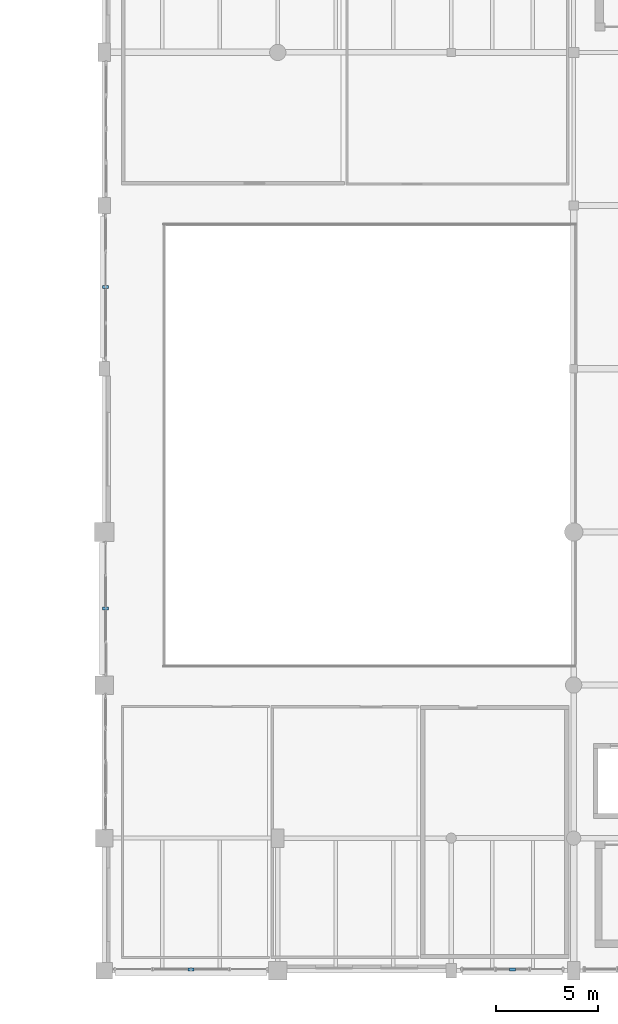
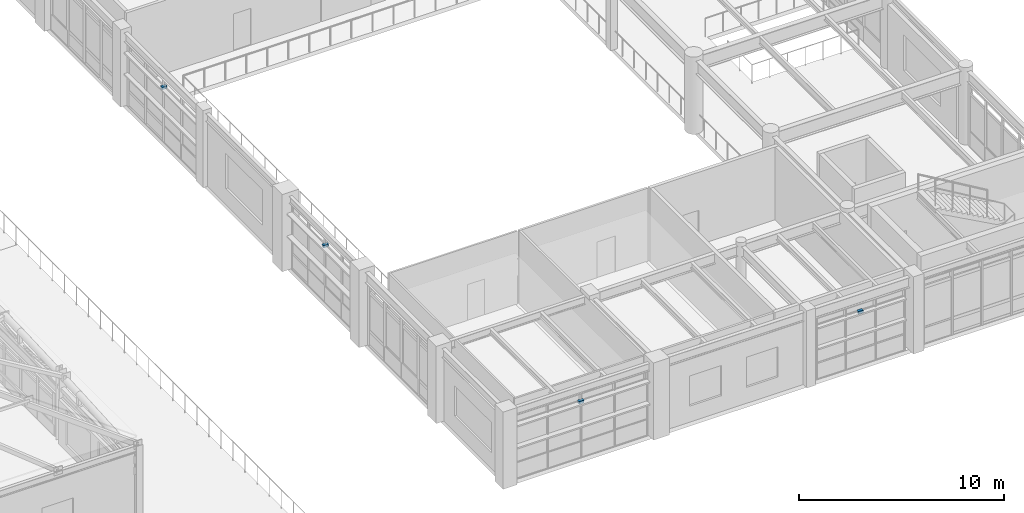
# One storey, part 161 of 168: 4 discrete accessories.
"""IFC4 building model written with IfcOpenShell, lengths in metres."""

from ifc_helpers import new_model, si_unit, direction, frame, origin, origin_2d, place, context, subcontext, project, spatial, rectangle, extrude, material, type_object, element, save


model = new_model("IFC4")

# Units and contexts
model_context = context("Model", 3, precision=1e-05, world=origin(), true_north=direction((0.0, 1.0)))
body_context = subcontext(model_context, "Body", "Model", "MODEL_VIEW")
ifc_project = project(units=[si_unit("LENGTHUNIT", "METRE"), si_unit("AREAUNIT", "SQUARE_METRE"), si_unit("VOLUMEUNIT", "CUBIC_METRE"), si_unit("PLANEANGLEUNIT", "RADIAN"), si_unit("MASSUNIT", "GRAM", prefix="KILO"), si_unit("THERMODYNAMICTEMPERATUREUNIT", "KELVIN"), si_unit("POWERUNIT", "WATT")], contexts=[model_context])

# Site, building, storey
site_placement = place(None, origin())
site = spatial("IfcSite", under=ifc_project, at=site_placement, CompositionType="ELEMENT")
building_placement = place(site_placement, origin())
building = spatial("IfcBuilding", under=site, at=building_placement, Name="Tepalcoro Natatorium and Aquatics Centre", CompositionType="ELEMENT")
storey_placement = place(building_placement, frame((0.0, 0.0, 10.199951171875)))
storey = spatial("IfcBuildingStorey", under=building, at=storey_placement, Name="L02", CompositionType="ELEMENT", Elevation=10.199951171875)

# Discrete accessories
ifc_material_1 = material(Name="Plate Steel ASTM A572 Grade 50 (Fy 345 MPa)", Category="steel")
discrete_accessory_type_1 = type_object("IfcDiscreteAccessoryType", Name="BRK_FACADE_GALV", PredefinedType="BRACKET", material=ifc_material_1)
for number, where, z_axis, x_axis, name in (
    (1, (146.25, 6.561279296875, 3.26025390625), (0.0, 0.0, 1.0), (1.0, 0.0, 0.0), "Solar Shading Outrigger Bracket BRK_FACADE_GALV"),
    (2, (142.05615234375, 24.25, 3.30712890625), (0.0, 0.0, 1.0), (1.0, 0.0, 0.0), "Solar Shading Outrigger Bracket BRK_FACADE_GALV"),
):
    element("IfcDiscreteAccessory", number, at=place(storey_placement, frame(where, z_axis=z_axis, x_axis=x_axis)), inside=storey, type_object=discrete_accessory_type_1, Name=name, PredefinedType="BRACKET", context=body_context, shape_type="SweptSolid", body=[
        extrude(rectangle(XDim=0.280029296875, YDim=0.159912109375, at=origin_2d()), origin(), (0.0, 0.0, 1.0), 0.159912109375),
    ])
ifc_material_2 = material(Name="Marine-Grade Brushed Stainless Steel AISI 316L", Category="steel")
discrete_accessory_type_2 = type_object("IfcDiscreteAccessoryType", Name="BRK_SEISMIC_SS", PredefinedType="BRACKET", material=ifc_material_2)
for number, where, z_axis, x_axis, name in (
    (3, (162.0, 6.561279296875, 3.10791015625), (0.0, 0.0, 1.0), (1.0, 0.0, 0.0), "Solar Shading Outrigger Bracket BRK_SEISMIC_SS"),
    (4, (142.05615234375, 40.0, 3.18408203125), (0.0, 0.0, 1.0), (1.0, 0.0, 0.0), "Solar Shading Outrigger Bracket BRK_SEISMIC_SS"),
):
    element("IfcDiscreteAccessory", number, at=place(storey_placement, frame(where, z_axis=z_axis, x_axis=x_axis)), inside=storey, type_object=discrete_accessory_type_2, Name=name, PredefinedType="BRACKET", context=body_context, shape_type="SweptSolid", body=[
        extrude(rectangle(XDim=0.280029296875, YDim=0.159912109375, at=origin_2d()), origin(), (0.0, 0.0, 1.0), 0.159912109375),
    ])

save(model, "model.ifc")
